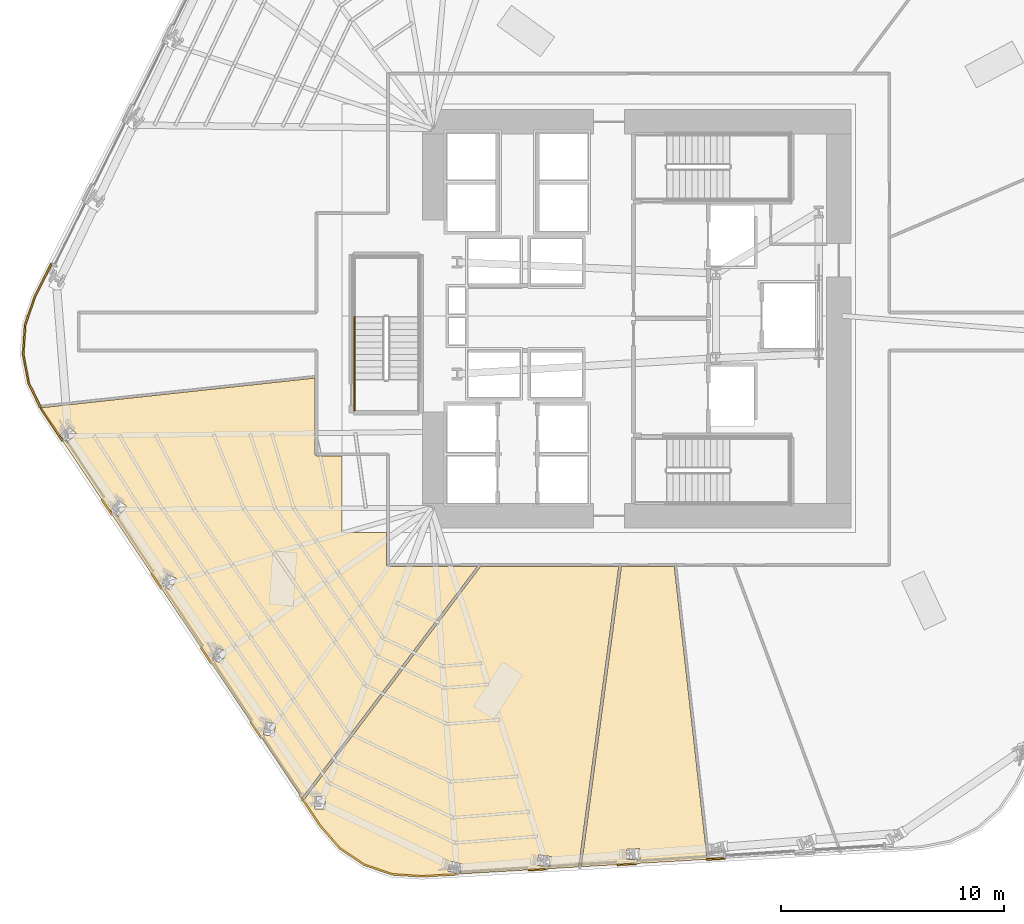
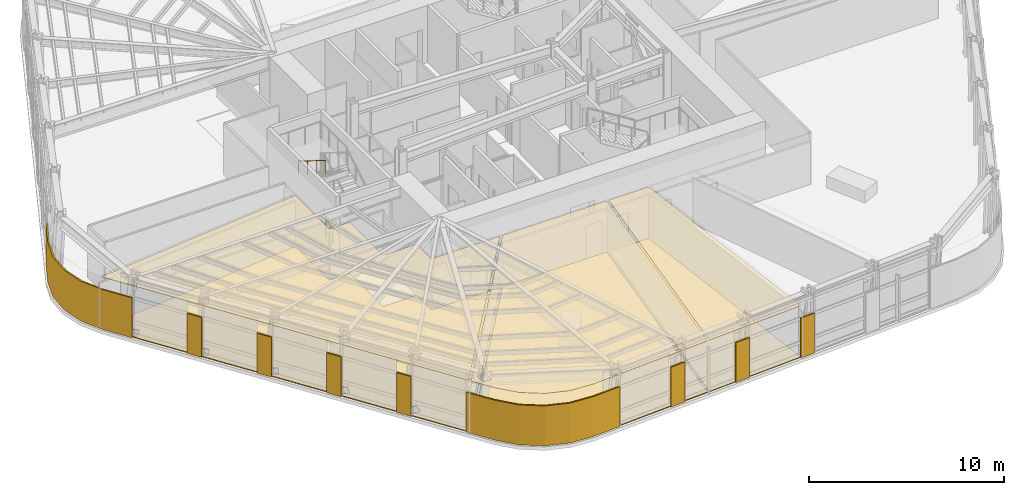
# One storey, part 10 of 15: 15 coverings, 2 railings.
"""IFC4 building model written with IfcOpenShell, lengths in metres."""

from ifc_helpers import new_model, si_unit, direction, frame, origin, origin_2d, place, context, subcontext, project, spatial, polyline, circle, outline, extrude, material, layer, layer_set, type_object, element, save


model = new_model("IFC4")

# Units and contexts
model_context = context("Model", 3, precision=1e-05, world=origin(), true_north=direction((0.0, 1.0)))
body_context = subcontext(model_context, "Body", "Model", "MODEL_VIEW")
ifc_project = project(units=[si_unit("LENGTHUNIT", "METRE"), si_unit("AREAUNIT", "SQUARE_METRE"), si_unit("VOLUMEUNIT", "CUBIC_METRE"), si_unit("PLANEANGLEUNIT", "RADIAN"), si_unit("MASSUNIT", "GRAM", prefix="KILO")], contexts=[model_context])

# Site, building, storey
site_placement = place(None, origin())
site = spatial("IfcSite", under=ifc_project, at=site_placement, CompositionType="ELEMENT")
building_placement = place(site_placement, origin())
building = spatial("IfcBuilding", under=site, at=building_placement, Name="Valkerne Bourse Tower", CompositionType="ELEMENT")
storey_placement = place(building_placement, frame((0.0, 0.0, 39.199951171875)))
storey = spatial("IfcBuildingStorey", under=building, at=storey_placement, Name="L09", CompositionType="ELEMENT", Elevation=39.199951171875)

# Coverings
ifc_material_1 = material(Name="Mineral Fiber Acoustic Ceiling Tile", Category="acoustic")
ifc_layer_1 = layer(ifc_material_1, 0.02490234375)
ifc_layer_set_1 = layer_set([ifc_layer_1], Name="Mineral Fiber Acoustic Ceiling Tile")
covering_type_1 = type_object("IfcCoveringType", Name="COV-CEIL-ACT", PredefinedType="CEILING", material=ifc_layer_set_1)
covering_1_placement = place(storey_placement, frame((0.0, 0.0, 3.22998046875)))
element("IfcCovering", 1, at=covering_1_placement, inside=storey, type_object=covering_type_1, Name="L09 Suspended Ceiling 03", PredefinedType="CEILING", context=body_context, shape_type="SweptSolid", body=[
    extrude(outline(polyline([(48.4755859375, 15.781005859375), (49.9482421875, 2.65234375), (44.31298828125, 2.318115234375), (46.109375, 15.781005859375), (48.4755859375, 15.781005859375)]), holes=[polyline([(46.938720703125, 2.669189453125), (46.91552734375, 3.13134765625), (46.912109375, 3.13134765625), (46.338623046875, 3.102294921875), (46.36181640625, 2.64013671875), (46.365478515625, 2.64013671875), (46.938720703125, 2.669189453125)])]), origin(), (0.0, 0.0, 1.0), 0.025146484375),
])
covering_2_placement = place(storey_placement, frame((0.0, 0.0, 3.22998046875)))
element("IfcCovering", 2, at=covering_2_placement, inside=storey, type_object=covering_type_1, Name="L09 Suspended Ceiling 06", PredefinedType="CEILING", context=body_context, shape_type="SweptSolid", body=[
    extrude(outline(polyline([(34.594482421875, 2.412353515625), (33.49951171875, 3.1484375), (32.62548828125, 4.150146484375), (31.865234375, 5.28564453125), (39.81201171875, 15.781005859375), (45.990234375, 15.781005859375), (44.193115234375, 2.31103515625), (38.894287109375, 1.996826171875), (39.0087890625, 2.426025390625), (39.005126953125, 2.42724609375), (38.45068359375, 2.57470703125), (38.33154296875, 2.127685546875), (38.3349609375, 2.12646484375), (38.835693359375, 1.993408203125), (37.169189453125, 1.89453125), (35.843017578125, 1.985107421875), (34.594482421875, 2.412353515625)]), holes=[polyline([(32.8349609375, 5.47607421875), (32.831787109375, 5.478271484375), (32.370849609375, 5.47509765625), (32.37158203125, 4.899169921875), (32.374755859375, 4.897216796875), (32.835693359375, 4.900146484375), (32.8349609375, 5.47607421875)]), polyline([(42.963623046875, 2.77978515625), (42.39306640625, 2.84326171875), (42.341796875, 2.383544921875), (42.34521484375, 2.3828125), (42.915771484375, 2.3193359375), (42.967041015625, 2.779296875), (42.963623046875, 2.77978515625)])]), origin(), (0.0, 0.0, 1.0), 0.025146484375),
])
covering_3_placement = place(storey_placement, frame((0.0, 0.0, 3.22998046875)))
element("IfcCovering", 3, at=covering_3_placement, inside=storey, type_object=covering_type_1, Name="L09 Suspended Ceiling 07", PredefinedType="CEILING", context=body_context, shape_type="SweptSolid", body=[
    extrude(outline(polyline([(32.381103515625, 24.21240234375), (32.381103515625, 20.79931640625), (32.39892578125, 20.75341796875), (32.4208984375, 20.7373046875), (32.44970703125, 20.73095703125), (33.60009765625, 20.73095703125), (33.60009765625, 17.300048828125), (35.5810546875, 17.300048828125), (35.5810546875, 15.849365234375), (35.59814453125, 15.80419921875), (35.62109375, 15.787353515625), (35.649658203125, 15.781005859375), (39.6640625, 15.781005859375), (31.7958984375, 5.389404296875), (20.1494140625, 22.782470703125), (20.10107421875, 22.881103515625), (32.381103515625, 24.21240234375)]), holes=[polyline([(30.61669921875, 8.739013671875), (30.160400390625, 8.804931640625), (30.075439453125, 8.235107421875), (30.078125, 8.23291015625), (30.534423828125, 8.1669921875), (30.619384765625, 8.73681640625), (30.61669921875, 8.739013671875)]), polyline([(28.400390625, 11.988037109375), (28.398193359375, 11.99072265625), (27.958251953125, 12.129150390625), (27.782958984375, 11.580322265625), (27.78515625, 11.57763671875), (28.22509765625, 11.439208984375), (28.400390625, 11.988037109375)]), polyline([(26.174072265625, 15.232666015625), (26.17236328125, 15.235595703125), (25.761474609375, 15.444580078125), (25.497802734375, 14.9326171875), (25.49951171875, 14.929443359375), (25.910400390625, 14.72021484375), (26.174072265625, 15.232666015625)]), polyline([(23.936767578125, 18.477783203125), (23.564697265625, 18.750244140625), (23.22216796875, 18.287109375), (23.223388671875, 18.28369140625), (23.595458984375, 18.011474609375), (23.93798828125, 18.474609375), (23.936767578125, 18.477783203125)]), polyline([(21.692138671875, 21.71826171875), (21.69140625, 21.721923828125), (21.3642578125, 22.046630859375), (20.956298828125, 21.639892578125), (20.95703125, 21.63623046875), (21.2841796875, 21.3115234375), (21.692138671875, 21.71826171875)])]), origin(), (0.0, 0.0, 1.0), 0.025146484375),
])
ifc_material_2 = material(Name="Bronze Anodised Aluminium AA 6063-T6", Category="aluminium")
ifc_layer_2 = layer(ifc_material_2, 0.06005859375)
ifc_layer_set_2 = layer_set([ifc_layer_2], Name="Bronze Anodised Aluminium AA 6063-T6")
covering_type_2 = type_object("IfcCoveringType", Name="COV-CRN-ALUM", PredefinedType="CLADDING", material=ifc_layer_set_2)
covering_4_placement = place(storey_placement, origin())
element("IfcCovering", 4, at=covering_4_placement, inside=storey, type_object=covering_type_2, Name="L09 Wind-Shaped Corner Aluminium Cladding 03", PredefinedType="CLADDING", context=body_context, shape_type="SweptSolid", body=[
    extrude(outline(polyline([(49.916015625, 2.6064453125), (49.910888671875, 2.686279296875), (50.74951171875, 2.736083984375), (50.75439453125, 2.656005859375), (49.916015625, 2.6064453125)])), origin(), (0.0, 0.0, 1.0), 2.5),
])
covering_5_placement = place(storey_placement, origin())
element("IfcCovering", 5, at=covering_5_placement, inside=storey, type_object=covering_type_2, Name="L09 Wind-Shaped Corner Aluminium Cladding 04", PredefinedType="CLADDING", context=body_context, shape_type="SweptSolid", body=[
    extrude(outline(polyline([(45.9267578125, 2.369873046875), (45.921875, 2.44970703125), (46.76025390625, 2.49951171875), (46.765380859375, 2.419677734375), (45.9267578125, 2.369873046875)])), origin(), (0.0, 0.0, 1.0), 2.5),
])
covering_6_placement = place(storey_placement, origin())
element("IfcCovering", 6, at=covering_6_placement, inside=storey, type_object=covering_type_2, Name="L09 Wind-Shaped Corner Aluminium Cladding 05", PredefinedType="CLADDING", context=body_context, shape_type="SweptSolid", body=[
    extrude(outline(polyline([(41.937744140625, 2.13330078125), (41.932861328125, 2.213134765625), (42.771240234375, 2.2626953125), (42.7763671875, 2.18310546875), (41.937744140625, 2.13330078125)])), origin(), (0.0, 0.0, 1.0), 2.5),
])
covering_7_placement = place(storey_placement, origin())
element("IfcCovering", 7, at=covering_7_placement, inside=storey, type_object=covering_type_2, Name="L09 Wind-Shaped Corner Aluminium Cladding 06", PredefinedType="CLADDING", context=body_context, shape_type="SweptSolid", body=[
    extrude(outline(polyline([(37.169189453125, 1.8505859375), (35.834228515625, 1.94140625), (34.57470703125, 2.37255859375), (33.469970703125, 3.115234375), (32.590576171875, 4.123291015625), (31.688720703125, 5.470458984375), (31.755126953125, 5.5146484375), (32.654296875, 4.172119140625), (33.5234375, 3.17578125), (34.610595703125, 2.44482421875), (35.85009765625, 2.0205078125), (37.16943359375, 1.9306640625), (38.7822265625, 2.0263671875), (38.787353515625, 1.946533203125), (37.169189453125, 1.8505859375)])), origin(), (0.0, 0.0, 1.0), 2.5),
])
covering_8_placement = place(storey_placement, origin())
element("IfcCovering", 8, at=covering_8_placement, inside=storey, type_object=covering_type_2, Name="L09 Wind-Shaped Corner Aluminium Cladding 07", PredefinedType="CLADDING", context=body_context, shape_type="SweptSolid", body=[
    extrude(outline(polyline([(29.465087890625, 8.790771484375), (29.531982421875, 8.8349609375), (29.999267578125, 8.136962890625), (29.9326171875, 8.0927734375), (29.465087890625, 8.790771484375)])), origin(), (0.0, 0.0, 1.0), 2.5),
])
covering_9_placement = place(storey_placement, origin())
element("IfcCovering", 9, at=covering_9_placement, inside=storey, type_object=covering_type_2, Name="L09 Wind-Shaped Corner Aluminium Cladding 08", PredefinedType="CLADDING", context=body_context, shape_type="SweptSolid", body=[
    extrude(outline(polyline([(27.241943359375, 12.111083984375), (27.30859375, 12.155517578125), (27.77587890625, 11.45751953125), (27.709228515625, 11.4130859375), (27.241943359375, 12.111083984375)])), origin(), (0.0, 0.0, 1.0), 2.5),
])
covering_10_placement = place(storey_placement, origin())
element("IfcCovering", 10, at=covering_10_placement, inside=storey, type_object=covering_type_2, Name="L09 Wind-Shaped Corner Aluminium Cladding 09", PredefinedType="CLADDING", context=body_context, shape_type="SweptSolid", body=[
    extrude(outline(polyline([(25.0185546875, 15.431396484375), (25.085205078125, 15.475830078125), (25.552490234375, 14.77783203125), (25.48583984375, 14.7333984375), (25.0185546875, 15.431396484375)])), origin(), (0.0, 0.0, 1.0), 2.5),
])
covering_11_placement = place(storey_placement, origin())
element("IfcCovering", 11, at=covering_11_placement, inside=storey, type_object=covering_type_2, Name="L09 Wind-Shaped Corner Aluminium Cladding 10", PredefinedType="CLADDING", context=body_context, shape_type="SweptSolid", body=[
    extrude(outline(polyline([(22.795166015625, 18.751953125), (22.86181640625, 18.796142578125), (23.3291015625, 18.09814453125), (23.2626953125, 18.053955078125), (22.795166015625, 18.751953125)])), origin(), (0.0, 0.0, 1.0), 2.5),
])
covering_12_placement = place(storey_placement, origin())
element("IfcCovering", 12, at=covering_12_placement, inside=storey, type_object=covering_type_2, Name="L09 Wind-Shaped Corner Aluminium Cladding 11", PredefinedType="CLADDING", context=body_context, shape_type="SweptSolid", body=[
    extrude(outline(polyline([(20.111083984375, 22.76025390625), (19.522705078125, 23.96142578125), (19.2666015625, 25.267578125), (19.35693359375, 26.595703125), (19.790283203125, 27.861083984375), (20.537353515625, 29.352783203125), (20.60888671875, 29.317138671875), (19.8642578125, 27.830078125), (19.43603515625, 26.579833984375), (19.346923828125, 25.272705078125), (19.59912109375, 23.9873046875), (20.1806640625, 22.80029296875), (21.10595703125, 21.418701171875), (21.039306640625, 21.374267578125), (20.111083984375, 22.76025390625)])), origin(), (0.0, 0.0, 1.0), 2.5),
])
ifc_material_3 = material(Name="Galvanised Painted Steel", Category="steel")
ifc_layer_3 = layer(ifc_material_3, 0.044921875)
ifc_layer_set_3 = layer_set([ifc_layer_3], Name="Galvanised Painted Steel")
covering_type_3 = type_object("IfcCoveringType", Name="COV-FLR-RAF", PredefinedType="FLOORING", material=ifc_layer_set_3)
covering_13_placement = place(storey_placement, origin())
element("IfcCovering", 13, at=covering_13_placement, inside=storey, type_object=covering_type_3, Name="L09 Floor Finish 06", PredefinedType="FLOORING", context=body_context, shape_type="SweptSolid", body=[
    extrude(outline(polyline([(34.594482421875, 2.412353515625), (33.49951171875, 3.1484375), (32.62548828125, 4.150146484375), (31.865234375, 5.28564453125), (39.81201171875, 15.781005859375), (45.990234375, 15.781005859375), (44.193115234375, 2.31103515625), (38.894287109375, 1.996826171875), (39.0087890625, 2.426025390625), (39.005126953125, 2.42724609375), (38.45068359375, 2.57470703125), (38.33154296875, 2.127685546875), (38.3349609375, 2.12646484375), (38.835693359375, 1.993408203125), (37.169189453125, 1.89453125), (35.843017578125, 1.985107421875), (34.594482421875, 2.412353515625)]), holes=[polyline([(32.8349609375, 5.47607421875), (32.831787109375, 5.478271484375), (32.370849609375, 5.47509765625), (32.37158203125, 4.899169921875), (32.374755859375, 4.897216796875), (32.835693359375, 4.900146484375), (32.8349609375, 5.47607421875)]), polyline([(42.963623046875, 2.77978515625), (42.39306640625, 2.84326171875), (42.341796875, 2.383544921875), (42.34521484375, 2.3828125), (42.915771484375, 2.3193359375), (42.967041015625, 2.779296875), (42.963623046875, 2.77978515625)])]), origin(), (0.0, 0.0, 1.0), 0.045166015625),
])
covering_14_placement = place(storey_placement, origin())
element("IfcCovering", 14, at=covering_14_placement, inside=storey, type_object=covering_type_3, Name="L09 Floor Finish 07", PredefinedType="FLOORING", context=body_context, shape_type="SweptSolid", body=[
    extrude(outline(polyline([(32.381103515625, 24.21240234375), (32.381103515625, 20.79931640625), (32.39892578125, 20.75341796875), (32.4208984375, 20.7373046875), (32.44970703125, 20.73095703125), (33.60009765625, 20.73095703125), (33.60009765625, 17.300048828125), (35.5810546875, 17.300048828125), (35.5810546875, 15.849365234375), (35.59814453125, 15.80419921875), (35.62109375, 15.787353515625), (35.649658203125, 15.781005859375), (39.6640625, 15.781005859375), (31.7958984375, 5.389404296875), (20.1494140625, 22.782470703125), (20.10107421875, 22.881103515625), (32.381103515625, 24.21240234375)]), holes=[polyline([(30.61669921875, 8.739013671875), (30.160400390625, 8.804931640625), (30.075439453125, 8.235107421875), (30.078125, 8.23291015625), (30.534423828125, 8.1669921875), (30.619384765625, 8.73681640625), (30.61669921875, 8.739013671875)]), polyline([(28.400390625, 11.988037109375), (28.398193359375, 11.99072265625), (27.958251953125, 12.129150390625), (27.782958984375, 11.580322265625), (27.78515625, 11.57763671875), (28.22509765625, 11.439208984375), (28.400390625, 11.988037109375)]), polyline([(26.174072265625, 15.232666015625), (26.17236328125, 15.235595703125), (25.761474609375, 15.444580078125), (25.497802734375, 14.9326171875), (25.49951171875, 14.929443359375), (25.910400390625, 14.72021484375), (26.174072265625, 15.232666015625)]), polyline([(23.936767578125, 18.477783203125), (23.564697265625, 18.750244140625), (23.22216796875, 18.287109375), (23.223388671875, 18.28369140625), (23.595458984375, 18.011474609375), (23.93798828125, 18.474609375), (23.936767578125, 18.477783203125)]), polyline([(21.692138671875, 21.71826171875), (21.69140625, 21.721923828125), (21.3642578125, 22.046630859375), (20.956298828125, 21.639892578125), (20.95703125, 21.63623046875), (21.2841796875, 21.3115234375), (21.692138671875, 21.71826171875)])]), origin(), (0.0, 0.0, 1.0), 0.045166015625),
])
ifc_material_4 = material(Name="Polished Granite Stone", Category="masonry")
ifc_layer_4 = layer(ifc_material_4, 0.030029296875)
ifc_layer_set_4 = layer_set([ifc_layer_4], Name="Polished Granite Stone")
covering_type_4 = type_object("IfcCoveringType", Name="COV-FLR-TERRAZZO", PredefinedType="FLOORING", material=ifc_layer_set_4)
covering_15_placement = place(storey_placement, origin())
element("IfcCovering", 15, at=covering_15_placement, inside=storey, type_object=covering_type_4, Name="L09 Floor Finish 03", PredefinedType="FLOORING", context=body_context, shape_type="SweptSolid", body=[
    extrude(outline(polyline([(48.4755859375, 15.781005859375), (49.9482421875, 2.65234375), (44.31298828125, 2.318115234375), (46.109375, 15.781005859375), (48.4755859375, 15.781005859375)]), holes=[polyline([(46.938720703125, 2.669189453125), (46.91552734375, 3.13134765625), (46.912109375, 3.13134765625), (46.338623046875, 3.102294921875), (46.36181640625, 2.64013671875), (46.365478515625, 2.64013671875), (46.938720703125, 2.669189453125)])]), origin(), (0.0, 0.0, 1.0), 0.030029296875),
])

# Railings
railing_type_1 = type_object("IfcRailingType", Name="RLG-ST-GUARD-1120", PredefinedType="GUARDRAIL", material=ifc_material_3)
railing_1_placement = place(storey_placement, frame((34.14990234375, 22.75, 0.0)))
element("IfcRailing", 16, at=railing_1_placement, inside=storey, type_object=railing_type_1, Name="L09 ST-3 stair guard 9", PredefinedType="GUARDRAIL", context=body_context, shape_type="SweptSolid", body=[
    extrude(circle(Radius=0.02392578125, at=origin_2d()), frame((0.0, 0.0, 1.09619140625), z_axis=(0.0, 1.0, 0.0), x_axis=(-1.0, 0.0, 0.0)), (0.0, 0.0, 1.0), 1.39990234375),
    extrude(circle(Radius=0.02099609375, at=origin_2d()), origin(), (0.0, 0.0, 1.0), 1.072021484375),
    extrude(circle(Radius=0.02099609375, at=origin_2d()), frame((0.0, 0.699951171875, 0.0)), (0.0, 0.0, 1.0), 1.072021484375),
    extrude(circle(Radius=0.02099609375, at=origin_2d()), frame((0.0, 1.39990234375, 0.0)), (0.0, 0.0, 1.0), 1.072021484375),
])
ifc_material_5 = material(Name="Stainless Steel AISI 316", Category="steel")
railing_type_2 = type_object("IfcRailingType", Name="RLG-ST-HANDRAIL-900", PredefinedType="HANDRAIL", material=ifc_material_5)
railing_2_placement = place(storey_placement, frame((34.14990234375, 26.949951171875, 2.24560546875)))
element("IfcRailing", 17, at=railing_2_placement, inside=storey, type_object=railing_type_2, Name="L09 ST-3 stair handrail 2", PredefinedType="HANDRAIL", context=body_context, shape_type="SweptSolid", body=[
    extrude(circle(Radius=0.02392578125, at=origin_2d()), frame((0.0, 0.0, 0.8759765625), z_axis=(0.0, -0.851122791225, 0.524966660138), x_axis=(1.0, 0.0, 0.0)), (0.0, 0.0, 1.0), 3.289794921875),
    extrude(circle(Radius=0.02099609375, at=origin_2d()), origin(), (0.0, 0.0, 1.0), 0.851806640625),
    extrude(circle(Radius=0.02099609375, at=origin_2d()), frame((0.0, -0.933349609375, 0.57568359375)), (0.0, 0.0, 1.0), 0.851806640625),
    extrude(circle(Radius=0.02099609375, at=origin_2d()), frame((0.0, -1.86669921875, 1.1513671875)), (0.0, 0.0, 1.0), 0.851806640625),
    extrude(circle(Radius=0.02099609375, at=origin_2d()), frame((0.0, -2.800048828125, 1.72705078125)), (0.0, 0.0, 1.0), 0.851806640625),
])

save(model, "model.ifc")
